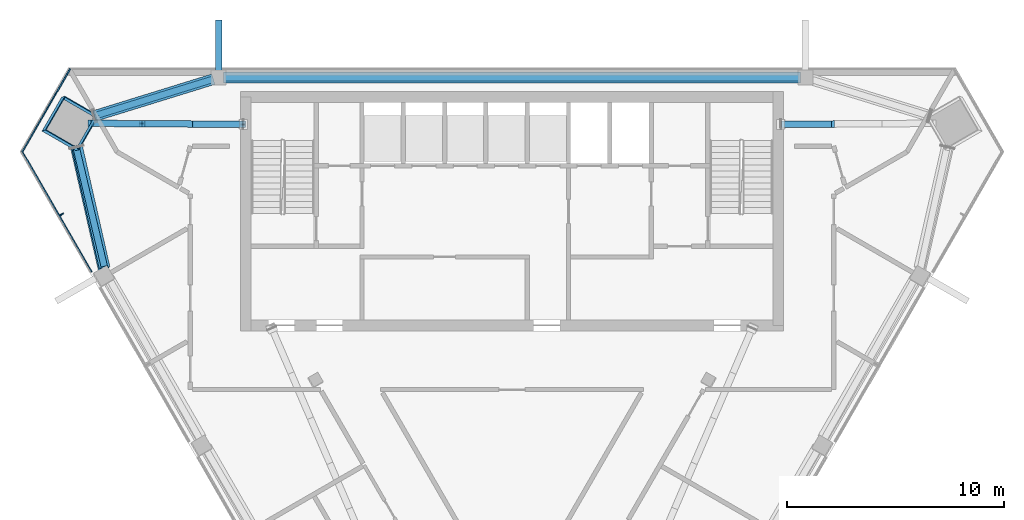
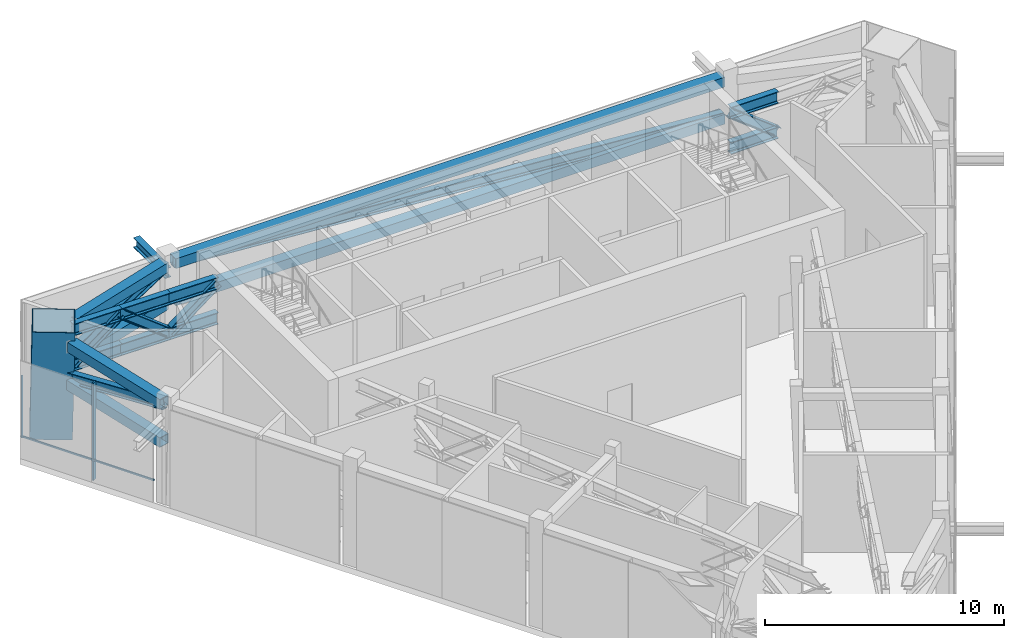
# One storey, part 5 of 13: 26 members, 2 elements without a shape of their own.
"""IFC4 building model written with IfcOpenShell, lengths in metres."""

from ifc_helpers import new_model, si_unit, direction, frame, origin, origin_2d, place, context, subcontext, project, spatial, rectangle, hollow_rectangle, i_section, extrude, material, layer, layer_set, material_profile, profile_set, type_object, element, aggregate, save


model = new_model("IFC4")

# Units and contexts
model_context = context("Model", 3, precision=1e-05, world=origin(), true_north=direction((0.0, 1.0)))
body_context = subcontext(model_context, "Body", "Model", "MODEL_VIEW")
ifc_project = project(units=[si_unit("LENGTHUNIT", "METRE"), si_unit("AREAUNIT", "SQUARE_METRE"), si_unit("VOLUMEUNIT", "CUBIC_METRE"), si_unit("PLANEANGLEUNIT", "RADIAN"), si_unit("MASSUNIT", "GRAM", prefix="KILO")], contexts=[model_context])

# Site, building, storey
site_placement = place(None, origin())
site = spatial("IfcSite", under=ifc_project, at=site_placement, CompositionType="ELEMENT")
building_placement = place(site_placement, origin())
building = spatial("IfcBuilding", under=site, at=building_placement, Name="Altiplano Prism Tower", CompositionType="ELEMENT")
storey_placement = place(building_placement, frame((0.0, 0.0, 286.0)))
storey = spatial("IfcBuildingStorey", under=building, at=storey_placement, Name="L74", CompositionType="ELEMENT", Elevation=286.0)

# Members
ifc_material_1 = material(Name="Steel S355", Category="steel")
ifc_material_profile_1 = material_profile(ifc_material_1, hollow_rectangle(XDim=0.5, YDim=0.5, WallThickness=0.02490234375, at=origin_2d()), Name="Belt chord Box 500x500x25")
ifc_profile_set_1 = profile_set([ifc_material_profile_1], Name="Steel S355")
member_type_1 = type_object("IfcMemberType", Name="Belt chord Box 500x500x25", PredefinedType="CHORD", material=ifc_profile_set_1)
for number, where, z_axis, x_axis, name in (
    (1, (98.27001953125, 104.550048828125, 2.85009765625), (-1.0, 0.0, 0.0), (0.0, -1.0, 0.0), "Belt truss R3 chord b3"),
    (2, (98.27001953125, 104.550048828125, 4.75), (-1.0, 0.0, 0.0), (0.0, -1.0, 0.0), "Belt truss R3 chord t3"),
):
    element("IfcMember", number, at=place(storey_placement, frame(where, z_axis=z_axis, x_axis=x_axis)), inside=storey, type_object=member_type_1, Name=name, PredefinedType="CHORD", context=body_context, shape_type="SweptSolid", body=[
        extrude(hollow_rectangle(XDim=0.5, YDim=0.5, WallThickness=0.02490234375, at=origin_2d()), origin(), (0.0, 0.0, 1.0), 26.5400390625),
    ])
member_1_placement = place(storey_placement, frame((71.2646484375, 104.477294921875, 2.85009765625), z_axis=(-0.955358298298, -0.295449694318, 0.0), x_axis=(0.295449694318, -0.955358298298, 0.0)))
element("IfcMember", 3, at=member_1_placement, inside=storey, type_object=member_type_1, Name="Belt truss R3 chord b4", PredefinedType="CHORD", context=body_context, shape_type="SweptSolid", body=[
    extrude(hollow_rectangle(XDim=0.5, YDim=0.5, WallThickness=0.02490234375, at=origin_2d()), origin(), (0.0, 0.0, 1.0), 5.73486328125),
])
member_2_placement = place(storey_placement, frame((71.2646484375, 104.477294921875, 4.75), z_axis=(-0.955390509194, -0.295345517896, 0.0), x_axis=(0.295345517896, -0.955390509194, 0.0)))
element("IfcMember", 4, at=member_2_placement, inside=storey, type_object=member_type_1, Name="Belt truss R3 chord t4", PredefinedType="CHORD", context=body_context, shape_type="SweptSolid", body=[
    extrude(hollow_rectangle(XDim=0.5, YDim=0.5, WallThickness=0.02490234375, at=origin_2d()), origin(), (0.0, 0.0, 1.0), 5.67822265625),
])
member_3_placement = place(storey_placement, frame((64.944580078125, 101.32568359375, 2.85009765625), z_axis=(0.221805108497, -0.975091018236, 0.0), x_axis=(0.975091018236, 0.221805108497, 0.0)))
element("IfcMember", 5, at=member_3_placement, inside=storey, type_object=member_type_1, Name="Belt truss R3 chord b5", PredefinedType="CHORD", context=body_context, shape_type="SweptSolid", body=[
    extrude(hollow_rectangle(XDim=0.5, YDim=0.5, WallThickness=0.02490234375, at=origin_2d()), origin(), (0.0, 0.0, 1.0), 5.734619140625),
])
member_4_placement = place(storey_placement, frame((64.998779296875, 101.34326171875, 4.75), z_axis=(0.2219128721, -0.975066498859, 0.0), x_axis=(0.975066498859, 0.2219128721, 0.0)))
element("IfcMember", 6, at=member_4_placement, inside=storey, type_object=member_type_1, Name="Belt truss R3 chord t5", PredefinedType="CHORD", context=body_context, shape_type="SweptSolid", body=[
    extrude(hollow_rectangle(XDim=0.5, YDim=0.5, WallThickness=0.02490234375, at=origin_2d()), origin(), (0.0, 0.0, 1.0), 5.677978515625),
])
ifc_material_profile_2 = material_profile(ifc_material_1, i_section(OverallWidth=0.300048828125, OverallDepth=0.5, WebThickness=0.014404296875, FlangeThickness=0.028076171875, FilletRadius=0.027099609375, at=origin_2d()), Name="Belt diagonal HEB 500")
ifc_profile_set_2 = profile_set([ifc_material_profile_2], Name="Steel S355")
member_type_2 = type_object("IfcMemberType", Name="Belt diagonal HEB 500", PredefinedType="BRACE", material=ifc_profile_set_2)
member_5_placement = place(storey_placement, frame((98.27001953125, 104.550048828125, 2.8662109375), z_axis=(-0.997533049293, 0.0, 0.070198401471), x_axis=(0.0, -1.0, 0.0)))
element("IfcMember", 7, at=member_5_placement, inside=storey, type_object=member_type_2, Name="Belt truss R3 diagonal 3", PredefinedType="BRACE", context=body_context, shape_type="SweptSolid", body=[
    extrude(i_section(OverallWidth=0.300048828125, OverallDepth=0.5, WebThickness=0.014404296875, FlangeThickness=0.028076171875, FilletRadius=0.027099609375, at=origin_2d()), origin(), (0.0, 0.0, 1.0), 26.605712890625),
])
member_6_placement = place(storey_placement, frame((71.2646484375, 104.477294921875, 4.684326171875), z_axis=(-0.923132951246, -0.285461238309, -0.25756054773), x_axis=(0.295428352427, -0.955364898132, 0.0)))
element("IfcMember", 8, at=member_6_placement, inside=storey, type_object=member_type_2, Name="Belt truss R3 diagonal 4", PredefinedType="BRACE", context=body_context, shape_type="SweptSolid", body=[
    extrude(i_section(OverallWidth=0.300048828125, OverallDepth=0.5, WebThickness=0.014404296875, FlangeThickness=0.028076171875, FilletRadius=0.027099609375, at=origin_2d()), origin(), (0.0, 0.0, 1.0), 5.9765625),
])
member_7_placement = place(storey_placement, frame((64.9443359375, 101.36669921875, 3.147705078125), z_axis=(0.221863730858, -0.939866928304, 0.259666405238), x_axis=(0.973251016418, 0.229744334077, 0.0)))
element("IfcMember", 9, at=member_7_placement, inside=storey, type_object=member_type_2, Name="Belt truss R3 diagonal 5", PredefinedType="BRACE", context=body_context, shape_type="SweptSolid", body=[
    extrude(i_section(OverallWidth=0.300048828125, OverallDepth=0.5, WebThickness=0.014404296875, FlangeThickness=0.028076171875, FilletRadius=0.027099609375, at=origin_2d()), origin(), (0.0, 0.0, 1.0), 5.915771484375),
])
ifc_material_profile_3 = material_profile(ifc_material_1, i_section(OverallWidth=0.300048828125, OverallDepth=0.5, WebThickness=0.014404296875, FlangeThickness=0.028076171875, FilletRadius=0.027099609375, at=origin_2d()), Name="Brace bracket HEB 500")
ifc_profile_set_3 = profile_set([ifc_material_profile_3], Name="Steel S355")
member_type_3 = type_object("IfcMemberType", Name="Brace bracket HEB 500", PredefinedType="STRUT", material=ifc_profile_set_3)
member_8_placement = place(storey_placement, frame((71.5, 104.550048828125, 4.21533203125), z_axis=(0.0, 1.0, 0.0), x_axis=(-1.0, 0.0, 0.0)))
element("IfcMember", 10, at=member_8_placement, inside=storey, type_object=member_type_3, Name="Brace bracket 0.291.4", PredefinedType="STRUT", context=body_context, shape_type="SweptSolid", body=[
    extrude(i_section(OverallWidth=0.300048828125, OverallDepth=0.5, WebThickness=0.014404296875, FlangeThickness=0.028076171875, FilletRadius=0.027099609375, at=origin_2d()), origin(), (0.0, 0.0, 1.0), 2.64990234375),
])

# Curtain wall, member
ifc_material_2 = material(Name="Aluminium and glass", Category="aluminium")
ifc_layer = layer(ifc_material_2, 0.320068359375)
ifc_layer_set = layer_set([ifc_layer], Name="Aluminium and glass")
curtain_wall_type = type_object("IfcCurtainWallType", Name="CW6 louvred plant-floor curtain wall", PredefinedType="NOTDEFINED", material=ifc_layer_set)
curtain_wall_1_placement = place(storey_placement, origin())
curtain_wall_1 = element("IfcCurtainWall", 11, at=curtain_wall_1_placement, inside=storey, type_object=curtain_wall_type, Name="CW6 curtain wall south-west face L74", PredefinedType="NOTDEFINED")
ifc_material_3 = material(Name="Aluminium", Category="aluminium")
ifc_material_profile_4 = material_profile(ifc_material_3, rectangle(XDim=0.199951171875, YDim=0.06005859375, at=origin_2d()), Name="CW6 mullion 60 x 200")
ifc_profile_set_4 = profile_set([ifc_material_profile_4], Name="Aluminium")
member_type_4 = type_object("IfcMemberType", Name="CW6 mullion 60 x 200", PredefinedType="MULLION", material=ifc_profile_set_4)
member_9_placement = place(storey_placement, frame((64.283447265625, 98.257080078125, 0.0), z_axis=(0.0, 0.0, 1.0), x_axis=(0.866025406813, 0.499999994755, 0.0)))
member_9 = element("IfcMember", 12, at=member_9_placement, type_object=member_type_4, Name="CW6 mullion", PredefinedType="MULLION", context=body_context, shape_type="SweptSolid", body=[
    extrude(rectangle(XDim=0.199951171875, YDim=0.06005859375, at=origin_2d()), origin(), (0.0, 0.0, 1.0), 5.0),
])

curtain_wall_2_placement = place(storey_placement, origin())
curtain_wall_2 = element("IfcCurtainWall", 13, at=curtain_wall_2_placement, inside=storey, type_object=curtain_wall_type, Name="CW6 curtain wall north-west chamfer L74", PredefinedType="NOTDEFINED")
ifc_material_profile_5 = material_profile(ifc_material_3, rectangle(XDim=0.06005859375, YDim=0.080078125, at=origin_2d()), Name="CW6 transom 80 x 60")
ifc_profile_set_5 = profile_set([ifc_material_profile_5], Name="Aluminium")
member_type_5 = type_object("IfcMemberType", Name="CW6 transom 80 x 60", PredefinedType="USERDEFINED", material=ifc_profile_set_5)
member_10_placement = place(storey_placement, frame((64.677001953125, 104.955078125, 1.10009765625), z_axis=(-0.49998134039, -0.866036176647, 0.0), x_axis=(0.866036176647, -0.49998134039, 0.0)))
member_10 = element("IfcMember", 14, at=member_10_placement, type_object=member_type_5, Name="CW6 transom", ObjectType="TRANSOM", PredefinedType="USERDEFINED", context=body_context, shape_type="SweptSolid", body=[
    extrude(rectangle(XDim=0.06005859375, YDim=0.080078125, at=origin_2d()), origin(), (0.0, 0.0, 1.0), 4.462646484375),
])
aggregate(curtain_wall_2, [member_10])

# Member
member_11_placement = place(storey_placement, frame((62.44580078125, 101.180419921875, 1.10009765625), z_axis=(0.49998535512, -0.866033858845, 0.0), x_axis=(0.866033858845, 0.49998535512, 0.0)))
member_11 = element("IfcMember", 15, at=member_11_placement, type_object=member_type_5, Name="CW6 transom", ObjectType="TRANSOM", PredefinedType="USERDEFINED", context=body_context, shape_type="SweptSolid", body=[
    extrude(rectangle(XDim=0.06005859375, YDim=0.080078125, at=origin_2d()), origin(), (0.0, 0.0, 1.0), 6.430908203125),
])

aggregate(curtain_wall_1, [member_9, member_11])

# Members
ifc_material_4 = material(Name="Steel S460", Category="steel")
ifc_material_profile_6 = material_profile(ifc_material_4, hollow_rectangle(XDim=1.800048828125, YDim=1.800048828125, WallThickness=0.0400390625, at=origin_2d()), Name="Mega column tube 1800")
ifc_profile_set_6 = profile_set([ifc_material_profile_6], Name="Steel S460")
member_type_6 = type_object("IfcMemberType", Name="Mega column tube 1800", PredefinedType="POST", material=ifc_profile_set_6)
member_12_placement = place(storey_placement, frame((64.609130859375, 102.417724609375, 0.0), z_axis=(0.028425663377, 0.009264325902, 0.999552977049), x_axis=(-0.865723772845, 0.500122957611, 0.019984403961)))
element("IfcMember", 16, at=member_12_placement, inside=storey, type_object=member_type_6, Name="Mega column tube M0 L74", PredefinedType="POST", context=body_context, shape_type="SweptSolid", body=[
    extrude(hollow_rectangle(XDim=1.800048828125, YDim=1.800048828125, WallThickness=0.0400390625, at=origin_2d()), origin(), (0.0, 0.0, 1.0), 5.40234375),
])
ifc_material_profile_7 = material_profile(ifc_material_1, i_section(OverallWidth=0.300048828125, OverallDepth=0.60009765625, WebThickness=0.015380859375, FlangeThickness=0.030029296875, FilletRadius=0.027099609375, at=origin_2d()), Name="Outrigger chord HEB 600")
ifc_profile_set_7 = profile_set([ifc_material_profile_7], Name="Steel S355")
member_type_7 = type_object("IfcMemberType", Name="Outrigger chord HEB 600", PredefinedType="CHORD", material=ifc_profile_set_7)
for number, where, z_axis, x_axis, name in (
    (17, (65.63232421875, 102.44677734375, 2.89990234375), (0.999976274207, -0.006888470316, 0.0), (0.006888470316, 0.999976274207, 0.0), "Outrigger truss R3 1 chord b1"),
    (18, (65.63232421875, 102.44677734375, 4.699951171875), (0.999976274207, -0.006888470316, 0.0), (0.006888470316, 0.999976274207, 0.0), "Outrigger truss R3 1 chord t1"),
):
    element("IfcMember", number, at=place(storey_placement, frame(where, z_axis=z_axis, x_axis=x_axis)), inside=storey, type_object=member_type_7, Name=name, PredefinedType="CHORD", context=body_context, shape_type="SweptSolid", body=[
        extrude(i_section(OverallWidth=0.300048828125, OverallDepth=0.60009765625, WebThickness=0.015380859375, FlangeThickness=0.030029296875, FilletRadius=0.027099609375, at=origin_2d()), origin(), (0.0, 0.0, 1.0), 2.339111328125),
    ])
for number, where, z_axis, x_axis, name in (
    (19, (67.971435546875, 102.4306640625, 2.89990234375), (0.999976992502, -0.006783396422, 0.0), (0.006783396422, 0.999976992502, 0.0), "Outrigger truss R3 1 chord b2"),
    (20, (67.971435546875, 102.4306640625, 4.699951171875), (0.999976992502, -0.006783396422, 0.0), (0.006783396422, 0.999976992502, 0.0), "Outrigger truss R3 1 chord t2"),
):
    element("IfcMember", number, at=place(storey_placement, frame(where, z_axis=z_axis, x_axis=x_axis)), inside=storey, type_object=member_type_7, Name=name, PredefinedType="CHORD", context=body_context, shape_type="SweptSolid", body=[
        extrude(i_section(OverallWidth=0.300048828125, OverallDepth=0.60009765625, WebThickness=0.015380859375, FlangeThickness=0.030029296875, FilletRadius=0.027099609375, at=origin_2d()), origin(), (0.0, 0.0, 1.0), 2.33935546875),
    ])
for number, where, z_axis, x_axis, name in (
    (21, (70.310791015625, 102.414794921875, 2.89990234375), (0.999976911403, -0.006795341084, 0.0), (0.006795341084, 0.999976911403, 0.0), "Outrigger truss R3 1 chord b3"),
    (22, (70.310791015625, 102.414794921875, 4.699951171875), (0.999976911403, -0.006795341084, 0.0), (0.006795341084, 0.999976911403, 0.0), "Outrigger truss R3 1 chord t3"),
    (23, (99.689208984375, 102.414794921875, 2.89990234375), (-0.999976911403, -0.006795341084, 0.0), (0.006795341084, -0.999976911403, 0.0), "Outrigger truss R3 2 chord b3"),
    (24, (99.689208984375, 102.414794921875, 4.699951171875), (-0.999976911403, -0.006795341084, 0.0), (0.006795341084, -0.999976911403, 0.0), "Outrigger truss R3 2 chord t3"),
):
    element("IfcMember", number, at=place(storey_placement, frame(where, z_axis=z_axis, x_axis=x_axis)), inside=storey, type_object=member_type_7, Name=name, PredefinedType="CHORD", context=body_context, shape_type="SweptSolid", body=[
        extrude(i_section(OverallWidth=0.300048828125, OverallDepth=0.60009765625, WebThickness=0.015380859375, FlangeThickness=0.030029296875, FilletRadius=0.027099609375, at=origin_2d()), origin(), (0.0, 0.0, 1.0), 2.29931640625),
    ])
ifc_material_profile_8 = material_profile(ifc_material_1, i_section(OverallWidth=0.300048828125, OverallDepth=0.449951171875, WebThickness=0.013916015625, FlangeThickness=0.02587890625, FilletRadius=0.027099609375, at=origin_2d()), Name="Outrigger diagonal HEB 450")
ifc_profile_set_8 = profile_set([ifc_material_profile_8], Name="Steel S355")
member_type_8 = type_object("IfcMemberType", Name="Outrigger diagonal HEB 450", PredefinedType="BRACE", material=ifc_profile_set_8)
for number, where, z_axis, x_axis, name in (
    (25, (65.63232421875, 102.44677734375, 2.89990234375), (0.792492241152, -0.005459188802, 0.609857561216), (0.006888470316, 0.999976274207, 0.0), "Outrigger truss R3 1 diagonal 1"),
    (26, (67.971435546875, 102.4306640625, 4.699951171875), (0.792523359576, -0.005376123813, -0.609817859544), (0.006783396422, 0.999976992502, 0.0), "Outrigger truss R3 1 diagonal 2"),
):
    element("IfcMember", number, at=place(storey_placement, frame(where, z_axis=z_axis, x_axis=x_axis)), inside=storey, type_object=member_type_8, Name=name, PredefinedType="BRACE", context=body_context, shape_type="SweptSolid", body=[
        extrude(i_section(OverallWidth=0.300048828125, OverallDepth=0.449951171875, WebThickness=0.013916015625, FlangeThickness=0.02587890625, FilletRadius=0.027099609375, at=origin_2d()), origin(), (0.0, 0.0, 1.0), 2.95166015625),
    ])
for number, where, z_axis, x_axis, name in (
    (27, (70.310791015625, 102.414794921875, 2.89990234375), (0.792522175313, -0.005366210243, 0.609819485934), (0.006770898534, 0.999977077204, 0.0), "Outrigger truss R3 1 diagonal 3"),
    (28, (99.689208984375, 102.414794921875, 2.89990234375), (-0.792522175313, -0.005366210243, 0.609819485934), (0.006770898534, -0.999977077204, 0.0), "Outrigger truss R3 2 diagonal 3"),
):
    element("IfcMember", number, at=place(storey_placement, frame(where, z_axis=z_axis, x_axis=x_axis)), inside=storey, type_object=member_type_8, Name=name, PredefinedType="BRACE", context=body_context, shape_type="SweptSolid", body=[
        extrude(i_section(OverallWidth=0.300048828125, OverallDepth=0.449951171875, WebThickness=0.013916015625, FlangeThickness=0.02587890625, FilletRadius=0.027099609375, at=origin_2d()), origin(), (0.0, 0.0, 1.0), 2.91162109375),
    ])

save(model, "model.ifc")
